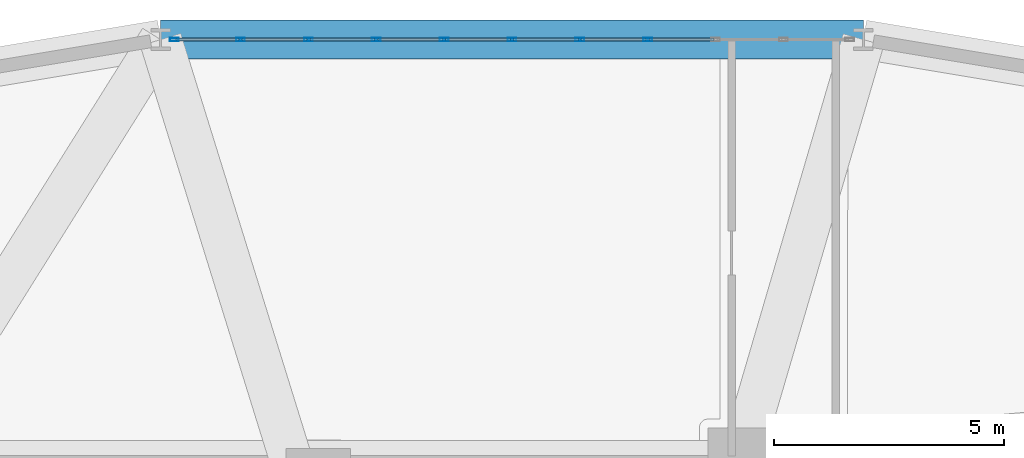
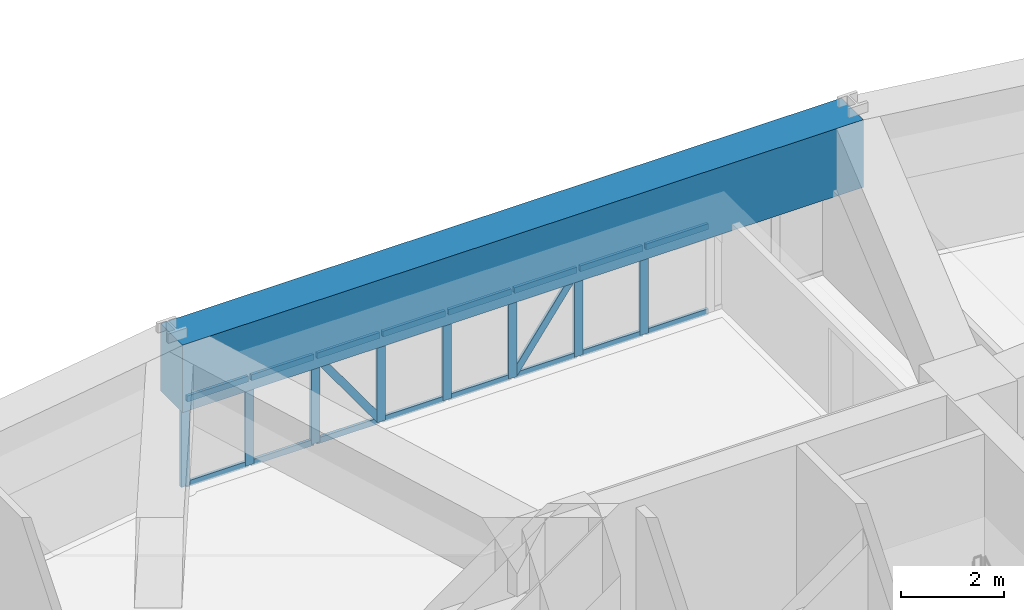
# One storey, part 10 of 18: 26 members, 1 beam, 1 element without a shape of its own.
"""IFC4 building model written with IfcOpenShell, lengths in metres."""

from ifc_helpers import new_model, si_unit, derived_unit, direction, frame, origin, origin_2d, place, context, subcontext, project, spatial, rectangle, hollow_rectangle, extrude, source, transform, mapped, material, layer, layer_set, material_profile, profile_set, type_object, element, aggregate, save


model = new_model("IFC4")

# Units and contexts
model_context = context("Model", 3, precision=1e-05, world=origin(), true_north=direction((0.0, 1.0)))
body_context = subcontext(model_context, "Body", "Model", "MODEL_VIEW")
ifc_project = project(units=[si_unit("LENGTHUNIT", "METRE"), si_unit("AREAUNIT", "SQUARE_METRE"), si_unit("VOLUMEUNIT", "CUBIC_METRE"), si_unit("PLANEANGLEUNIT", "RADIAN"), si_unit("MASSUNIT", "GRAM", prefix="KILO"), derived_unit("THERMALTRANSMITTANCEUNIT", [(si_unit("POWERUNIT", "WATT"), 1), (si_unit("LENGTHUNIT", "METRE"), -2), (si_unit("THERMODYNAMICTEMPERATUREUNIT", "KELVIN"), -1)])], contexts=[model_context])

# Site, building, storey
site_placement = place(None, origin())
site = spatial("IfcSite", under=ifc_project, at=site_placement, CompositionType="ELEMENT")
building_placement = place(site_placement, origin())
building = spatial("IfcBuilding", under=site, at=building_placement, Name="Korsvarv Bourse and Concert Hall", CompositionType="ELEMENT")
storey_placement = place(building_placement, frame((0.0, 0.0, 71.699951171875)))
storey = spatial("IfcBuildingStorey", under=building, at=storey_placement, Name="L17", CompositionType="ELEMENT", Elevation=71.699951171875)

# Beam
ifc_material_1 = material(Name="Concrete C55/67", Category="concrete")
ifc_material_profile_1 = material_profile(ifc_material_1, rectangle(XDim=0.85009765625, YDim=1.60009765625, at=origin_2d()), Name="RC-BM 850x1600")
ifc_profile_set_1 = profile_set([ifc_material_profile_1], Name="Concrete C55/67")
beam_type = type_object("IfcBeamType", Name="BM-TR1B", PredefinedType="BEAM", material=ifc_profile_set_1)
shared_shape_1 = source(origin(), body_context, "Body", "SweptSolid", [
    extrude(rectangle(XDim=0.85009765625, YDim=1.60009765625, at=origin_2d()), origin(), (0.0, 0.0, 1.0), 15.25341796875),
])
beam_placement = place(storey_placement, frame((47.82666015625, 56.376708984375, 2.880126953125), z_axis=(-1.0, 0.0, 0.0), x_axis=(0.0, -1.0, 0.0)))
element("IfcBeam", 1, at=beam_placement, inside=storey, type_object=beam_type, Name="L17 beam B-TR2", PredefinedType="BEAM", context=body_context, shape_type="MappedRepresentation", body=[
    mapped(shared_shape_1, transform((0.0, 0.0, 0.0), scale=1.0)),
])

# Curtain wall, members
ifc_material_2 = material(Name="Anodised aluminium and triple low-E glazing", Category="glass")
ifc_layer = layer(ifc_material_2, 0.219970703125)
ifc_layer_set = layer_set([ifc_layer], Name="Anodised aluminium and triple low-E glazing")
curtain_wall_type = type_object("IfcCurtainWallType", Name="CW-SYS-1", PredefinedType="NOTDEFINED", material=ifc_layer_set)
curtain_wall_placement = place(storey_placement, origin())
curtain_wall = element("IfcCurtainWall", 2, at=curtain_wall_placement, inside=storey, type_object=curtain_wall_type, Name="L17 CW1 curtain wall CW-L17-F03", PredefinedType="NOTDEFINED")
ifc_material_3 = material(Name="Extruded aluminium EN AW-6063 T66", Category="aluminium")
ifc_material_profile_2 = material_profile(ifc_material_3, hollow_rectangle(XDim=0.070068359375, YDim=0.18994140625, WallThickness=0.0048828125, at=origin_2d()), Name="ALU-M 70x190")
ifc_profile_set_2 = profile_set([ifc_material_profile_2], Name="Extruded aluminium EN AW-6063 T66")
member_type_1 = type_object("IfcMemberType", Name="CWM-190", PredefinedType="MULLION", material=ifc_profile_set_2)
shared_shape_2 = source(origin(), body_context, "Body", "SweptSolid", [
    extrude(hollow_rectangle(XDim=0.070068359375, YDim=0.18994140625, WallThickness=0.0048828125, at=origin_2d()), origin(), (0.0, 0.0, 1.0), 2.080078125),
])
member_1_placement = place(storey_placement, frame((43.14599609375, 56.376708984375, 0.0), z_axis=(0.0, 0.0, 1.0), x_axis=(0.0, -1.0, 0.0)))
member_1 = element("IfcMember", 3, at=member_1_placement, type_object=member_type_1, Name="CW1 mullion 4", PredefinedType="MULLION", context=body_context, shape_type="MappedRepresentation", body=[
    mapped(shared_shape_2, transform((0.0, 0.0, 0.0), scale=1.0)),
])
member_2_placement = place(storey_placement, frame((41.6728515625, 56.376708984375, 0.0), z_axis=(0.0, 0.0, 1.0), x_axis=(0.0, -1.0, 0.0)))
member_2 = element("IfcMember", 4, at=member_2_placement, type_object=member_type_1, Name="CW1 mullion 5", PredefinedType="MULLION", context=body_context, shape_type="MappedRepresentation", body=[
    mapped(shared_shape_2, transform((0.0, 0.0, 0.0), scale=1.0)),
])
member_3_placement = place(storey_placement, frame((40.199951171875, 56.376708984375, 0.0), z_axis=(0.0, 0.0, 1.0), x_axis=(0.0, -1.0, 0.0)))
member_3 = element("IfcMember", 5, at=member_3_placement, type_object=member_type_1, Name="CW1 mullion 6", PredefinedType="MULLION", context=body_context, shape_type="MappedRepresentation", body=[
    mapped(shared_shape_2, transform((0.0, 0.0, 0.0), scale=1.0)),
])
member_4_placement = place(storey_placement, frame((38.72705078125, 56.376708984375, 0.0), z_axis=(0.0, 0.0, 1.0), x_axis=(0.0, -1.0, 0.0)))
member_4 = element("IfcMember", 6, at=member_4_placement, type_object=member_type_1, Name="CW1 mullion 7", PredefinedType="MULLION", context=body_context, shape_type="MappedRepresentation", body=[
    mapped(shared_shape_2, transform((0.0, 0.0, 0.0), scale=1.0)),
])
member_5_placement = place(storey_placement, frame((37.254150390625, 56.376708984375, 0.0), z_axis=(0.0, 0.0, 1.0), x_axis=(0.0, -1.0, 0.0)))
member_5 = element("IfcMember", 7, at=member_5_placement, type_object=member_type_1, Name="CW1 mullion 8", PredefinedType="MULLION", context=body_context, shape_type="MappedRepresentation", body=[
    mapped(shared_shape_2, transform((0.0, 0.0, 0.0), scale=1.0)),
])
member_6_placement = place(storey_placement, frame((35.78125, 56.376708984375, 0.0), z_axis=(0.0, 0.0, 1.0), x_axis=(0.0, -1.0, 0.0)))
member_6 = element("IfcMember", 8, at=member_6_placement, type_object=member_type_1, Name="CW1 mullion 9", PredefinedType="MULLION", context=body_context, shape_type="MappedRepresentation", body=[
    mapped(shared_shape_2, transform((0.0, 0.0, 0.0), scale=1.0)),
])
member_7_placement = place(storey_placement, frame((34.308349609375, 56.376708984375, 0.0), z_axis=(0.0, 0.0, 1.0), x_axis=(0.0, -1.0, 0.0)))
member_7 = element("IfcMember", 9, at=member_7_placement, type_object=member_type_1, Name="CW1 mullion 10", PredefinedType="MULLION", context=body_context, shape_type="MappedRepresentation", body=[
    mapped(shared_shape_2, transform((0.0, 0.0, 0.0), scale=1.0)),
])
member_8_placement = place(storey_placement, frame((32.870361328125, 56.376708984375, 0.0), z_axis=(0.0, 0.0, 1.0), x_axis=(0.0, -1.0, 0.0)))
member_8 = element("IfcMember", 10, at=member_8_placement, type_object=member_type_1, Name="CW1 mullion 11", PredefinedType="MULLION", context=body_context, shape_type="MappedRepresentation", body=[
    mapped(shared_shape_2, transform((0.0, 0.0, 0.0), scale=1.0)),
])
ifc_material_profile_3 = material_profile(ifc_material_3, hollow_rectangle(XDim=0.06494140625, YDim=0.139892578125, WallThickness=0.00390625, at=origin_2d()), Name="ALU-T 65x140")
ifc_profile_set_3 = profile_set([ifc_material_profile_3], Name="Extruded aluminium EN AW-6063 T66")
member_type_2 = type_object("IfcMemberType", Name="CWT-140", PredefinedType="USERDEFINED", material=ifc_profile_set_3)
shared_shape_3 = source(origin(), body_context, "Body", "SweptSolid", [
    extrude(hollow_rectangle(XDim=0.06494140625, YDim=0.139892578125, WallThickness=0.00390625, at=origin_2d()), origin(), (0.0, 0.0, 1.0), 1.367919921875),
])
member_9_placement = place(storey_placement, frame((34.273193359375, 56.376708984375, 0.032470703125), z_axis=(-1.0, 0.0, 0.0), x_axis=(0.0, -1.0, 0.0)))
member_9 = element("IfcMember", 11, at=member_9_placement, type_object=member_type_2, Name="CW1 transom 10.1", ObjectType="TRANSOM", PredefinedType="USERDEFINED", context=body_context, shape_type="MappedRepresentation", body=[
    mapped(shared_shape_3, transform((0.0, 0.0, 0.0), scale=1.0)),
])
member_10_placement = place(storey_placement, frame((34.273193359375, 56.376708984375, 2.047607421875), z_axis=(-1.0, 0.0, 0.0), x_axis=(0.0, -1.0, 0.0)))
member_10 = element("IfcMember", 12, at=member_10_placement, type_object=member_type_2, Name="CW1 transom 10.2", ObjectType="TRANSOM", PredefinedType="USERDEFINED", context=body_context, shape_type="MappedRepresentation", body=[
    mapped(shared_shape_3, transform((0.0, 0.0, 0.0), scale=1.0)),
])
shared_shape_4 = source(origin(), body_context, "Body", "SweptSolid", [
    extrude(hollow_rectangle(XDim=0.06494140625, YDim=0.139892578125, WallThickness=0.00390625, at=origin_2d()), origin(), (0.0, 0.0, 1.0), 1.40283203125),
])
member_11_placement = place(storey_placement, frame((44.583740234375, 56.376708984375, 0.032470703125), z_axis=(-1.0, 0.0, 0.0), x_axis=(0.0, -1.0, 0.0)))
member_11 = element("IfcMember", 13, at=member_11_placement, type_object=member_type_2, Name="CW1 transom 3.1", ObjectType="TRANSOM", PredefinedType="USERDEFINED", context=body_context, shape_type="MappedRepresentation", body=[
    mapped(shared_shape_4, transform((0.0, 0.0, 0.0), scale=1.0)),
])
member_12_placement = place(storey_placement, frame((44.583740234375, 56.376708984375, 2.047607421875), z_axis=(-1.0, 0.0, 0.0), x_axis=(0.0, -1.0, 0.0)))
member_12 = element("IfcMember", 14, at=member_12_placement, type_object=member_type_2, Name="CW1 transom 3.2", ObjectType="TRANSOM", PredefinedType="USERDEFINED", context=body_context, shape_type="MappedRepresentation", body=[
    mapped(shared_shape_4, transform((0.0, 0.0, 0.0), scale=1.0)),
])
member_13_placement = place(storey_placement, frame((43.11083984375, 56.376708984375, 0.032470703125), z_axis=(-1.0, 0.0, 0.0), x_axis=(0.0, -1.0, 0.0)))
member_13 = element("IfcMember", 15, at=member_13_placement, type_object=member_type_2, Name="CW1 transom 4.1", ObjectType="TRANSOM", PredefinedType="USERDEFINED", context=body_context, shape_type="MappedRepresentation", body=[
    mapped(shared_shape_4, transform((0.0, 0.0, 0.0), scale=1.0)),
])
member_14_placement = place(storey_placement, frame((43.11083984375, 56.376708984375, 2.047607421875), z_axis=(-1.0, 0.0, 0.0), x_axis=(0.0, -1.0, 0.0)))
member_14 = element("IfcMember", 16, at=member_14_placement, type_object=member_type_2, Name="CW1 transom 4.2", ObjectType="TRANSOM", PredefinedType="USERDEFINED", context=body_context, shape_type="MappedRepresentation", body=[
    mapped(shared_shape_4, transform((0.0, 0.0, 0.0), scale=1.0)),
])
member_15_placement = place(storey_placement, frame((41.637939453125, 56.376708984375, 0.032470703125), z_axis=(-1.0, 0.0, 0.0), x_axis=(0.0, -1.0, 0.0)))
member_15 = element("IfcMember", 17, at=member_15_placement, type_object=member_type_2, Name="CW1 transom 5.1", ObjectType="TRANSOM", PredefinedType="USERDEFINED", context=body_context, shape_type="MappedRepresentation", body=[
    mapped(shared_shape_4, transform((0.0, 0.0, 0.0), scale=1.0)),
])
member_16_placement = place(storey_placement, frame((41.637939453125, 56.376708984375, 2.047607421875), z_axis=(-1.0, 0.0, 0.0), x_axis=(0.0, -1.0, 0.0)))
member_16 = element("IfcMember", 18, at=member_16_placement, type_object=member_type_2, Name="CW1 transom 5.2", ObjectType="TRANSOM", PredefinedType="USERDEFINED", context=body_context, shape_type="MappedRepresentation", body=[
    mapped(shared_shape_4, transform((0.0, 0.0, 0.0), scale=1.0)),
])
member_17_placement = place(storey_placement, frame((35.74609375, 56.376708984375, 0.032470703125), z_axis=(-1.0, 0.0, 0.0), x_axis=(0.0, -1.0, 0.0)))
member_17 = element("IfcMember", 19, at=member_17_placement, type_object=member_type_2, Name="CW1 transom 9.1", ObjectType="TRANSOM", PredefinedType="USERDEFINED", context=body_context, shape_type="MappedRepresentation", body=[
    mapped(shared_shape_4, transform((0.0, 0.0, 0.0), scale=1.0)),
])
member_18_placement = place(storey_placement, frame((35.74609375, 56.376708984375, 2.047607421875), z_axis=(-1.0, 0.0, 0.0), x_axis=(0.0, -1.0, 0.0)))
member_18 = element("IfcMember", 20, at=member_18_placement, type_object=member_type_2, Name="CW1 transom 9.2", ObjectType="TRANSOM", PredefinedType="USERDEFINED", context=body_context, shape_type="MappedRepresentation", body=[
    mapped(shared_shape_4, transform((0.0, 0.0, 0.0), scale=1.0)),
])
ifc_material_profile_4 = material_profile(ifc_material_3, hollow_rectangle(XDim=0.06494140625, YDim=0.1650390625, WallThickness=0.0048828125, at=origin_2d()), Name="ALU-M 65x165")
ifc_profile_set_4 = profile_set([ifc_material_profile_4], Name="Extruded aluminium EN AW-6063 T66")
member_type_3 = type_object("IfcMemberType", Name="CWM-165", PredefinedType="MULLION", material=ifc_profile_set_4)
shared_shape_5 = source(origin(), body_context, "Body", "SweptSolid", [
    extrude(hollow_rectangle(XDim=0.06494140625, YDim=0.1650390625, WallThickness=0.0048828125, at=origin_2d()), origin(), (0.0, 0.0, 1.0), 2.40234375),
])
member_19_placement = place(storey_placement, frame((40.235107421875, 56.376708984375, 0.06494140625), z_axis=(0.583945923963, 0.0, 0.811792558408), x_axis=(0.0, 1.0, 0.0)))
member_19 = element("IfcMember", 21, at=member_19_placement, type_object=member_type_3, Name="CW1 diagonal mullion 5", PredefinedType="MULLION", context=body_context, shape_type="MappedRepresentation", body=[
    mapped(shared_shape_5, transform((0.0, 0.0, 0.0), scale=1.0)),
])
shared_shape_6 = source(origin(), body_context, "Body", "SweptSolid", [
    extrude(hollow_rectangle(XDim=0.06494140625, YDim=0.139892578125, WallThickness=0.00390625, at=origin_2d()), origin(), (0.0, 0.0, 1.0), 1.403076171875),
])
member_20_placement = place(storey_placement, frame((40.1650390625, 56.376708984375, 0.032470703125), z_axis=(-1.0, 0.0, 0.0), x_axis=(0.0, -1.0, 0.0)))
member_20 = element("IfcMember", 22, at=member_20_placement, type_object=member_type_2, Name="CW1 transom 6.1", ObjectType="TRANSOM", PredefinedType="USERDEFINED", context=body_context, shape_type="MappedRepresentation", body=[
    mapped(shared_shape_6, transform((0.0, 0.0, 0.0), scale=1.0)),
])
member_21_placement = place(storey_placement, frame((40.1650390625, 56.376708984375, 2.047607421875), z_axis=(-1.0, 0.0, 0.0), x_axis=(0.0, -1.0, 0.0)))
member_21 = element("IfcMember", 23, at=member_21_placement, type_object=member_type_2, Name="CW1 transom 6.2", ObjectType="TRANSOM", PredefinedType="USERDEFINED", context=body_context, shape_type="MappedRepresentation", body=[
    mapped(shared_shape_6, transform((0.0, 0.0, 0.0), scale=1.0)),
])
member_22_placement = place(storey_placement, frame((38.692138671875, 56.376708984375, 0.032470703125), z_axis=(-1.0, 0.0, 0.0), x_axis=(0.0, -1.0, 0.0)))
member_22 = element("IfcMember", 24, at=member_22_placement, type_object=member_type_2, Name="CW1 transom 7.1", ObjectType="TRANSOM", PredefinedType="USERDEFINED", context=body_context, shape_type="MappedRepresentation", body=[
    mapped(shared_shape_6, transform((0.0, 0.0, 0.0), scale=1.0)),
])
member_23_placement = place(storey_placement, frame((38.692138671875, 56.376708984375, 2.047607421875), z_axis=(-1.0, 0.0, 0.0), x_axis=(0.0, -1.0, 0.0)))
member_23 = element("IfcMember", 25, at=member_23_placement, type_object=member_type_2, Name="CW1 transom 7.2", ObjectType="TRANSOM", PredefinedType="USERDEFINED", context=body_context, shape_type="MappedRepresentation", body=[
    mapped(shared_shape_6, transform((0.0, 0.0, 0.0), scale=1.0)),
])
member_24_placement = place(storey_placement, frame((37.21923828125, 56.376708984375, 0.032470703125), z_axis=(-1.0, 0.0, 0.0), x_axis=(0.0, -1.0, 0.0)))
member_24 = element("IfcMember", 26, at=member_24_placement, type_object=member_type_2, Name="CW1 transom 8.1", ObjectType="TRANSOM", PredefinedType="USERDEFINED", context=body_context, shape_type="MappedRepresentation", body=[
    mapped(shared_shape_6, transform((0.0, 0.0, 0.0), scale=1.0)),
])
member_25_placement = place(storey_placement, frame((37.21923828125, 56.376708984375, 2.047607421875), z_axis=(-1.0, 0.0, 0.0), x_axis=(0.0, -1.0, 0.0)))
member_25 = element("IfcMember", 27, at=member_25_placement, type_object=member_type_2, Name="CW1 transom 8.2", ObjectType="TRANSOM", PredefinedType="USERDEFINED", context=body_context, shape_type="MappedRepresentation", body=[
    mapped(shared_shape_6, transform((0.0, 0.0, 0.0), scale=1.0)),
])
shared_shape_7 = source(origin(), body_context, "Body", "SweptSolid", [
    extrude(hollow_rectangle(XDim=0.06494140625, YDim=0.1650390625, WallThickness=0.0048828125, at=origin_2d()), origin(), (0.0, 0.0, 1.0), 2.402587890625),
])
member_26_placement = place(storey_placement, frame((37.21923828125, 56.376708984375, 0.06494140625), z_axis=(-0.584012890599, 0.0, 0.811744383174), x_axis=(0.0, -1.0, 0.0)))
member_26 = element("IfcMember", 28, at=member_26_placement, type_object=member_type_3, Name="CW1 diagonal mullion 8", PredefinedType="MULLION", context=body_context, shape_type="MappedRepresentation", body=[
    mapped(shared_shape_7, transform((0.0, 0.0, 0.0), scale=1.0)),
])
aggregate(curtain_wall, [member_1, member_2, member_3, member_4, member_5, member_6, member_7, member_8, member_11, member_12, member_13, member_14, member_15, member_16, member_19, member_20, member_21, member_22, member_23, member_24, member_25, member_26, member_17, member_18, member_9, member_10])

save(model, "model.ifc")
